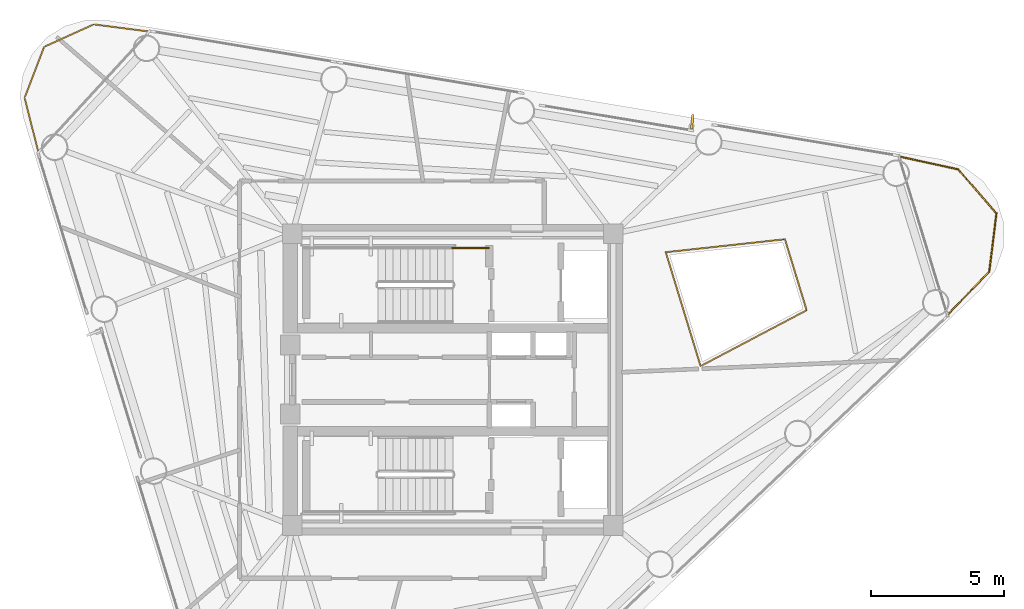
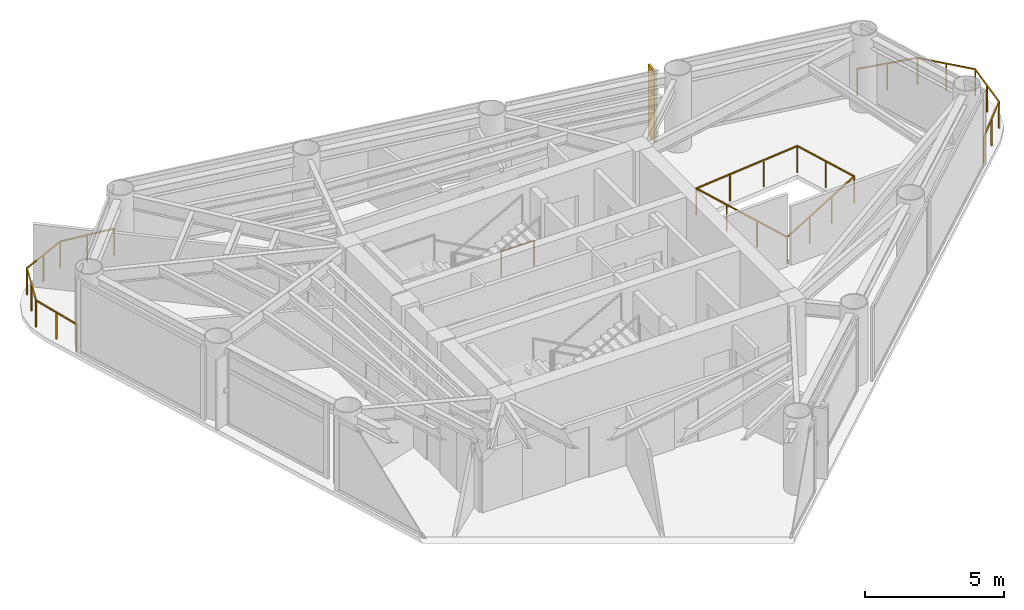
# One storey, part 8 of 8: 4 railings, 1 shading device.
"""IFC4 building model written with IfcOpenShell, lengths in metres."""

from ifc_helpers import new_model, si_unit, direction, frame, origin, origin_2d, place, context, subcontext, project, spatial, rectangle, extrude, source, transform, mapped, material, material_profile, profile_set, type_object, element, save


model = new_model("IFC4")

# Units and contexts
model_context = context("Model", 3, precision=1e-05, world=origin(), true_north=direction((0.0, 1.0)))
body_context = subcontext(model_context, "Body", "Model", "MODEL_VIEW")
ifc_project = project(units=[si_unit("LENGTHUNIT", "METRE"), si_unit("AREAUNIT", "SQUARE_METRE"), si_unit("VOLUMEUNIT", "CUBIC_METRE"), si_unit("PLANEANGLEUNIT", "RADIAN"), si_unit("MASSUNIT", "GRAM", prefix="KILO")], contexts=[model_context])

# Site, building, storey
site_placement = place(None, origin())
site = spatial("IfcSite", under=ifc_project, at=site_placement, CompositionType="ELEMENT")
building_placement = place(site_placement, origin())
building = spatial("IfcBuilding", under=site, at=building_placement, Name="Yunling Apex Tower", CompositionType="ELEMENT")
storey_placement = place(building_placement, frame((0.0, 0.0, 242.25)))
storey = spatial("IfcBuildingStorey", under=building, at=storey_placement, Name="L59", CompositionType="ELEMENT", Elevation=242.25)

# Railings
ifc_material_1 = material(Name="Bronze anodised aluminium", Category="aluminium")
railing_type_1 = type_object("IfcRailingType", Name="RL-BAL-1200", PredefinedType="BALUSTRADE", material=ifc_material_1)
railing_1_placement = place(storey_placement, frame((16.8173828125, 8.41064453125, 0.0)))
element("IfcRailing", 1, at=railing_1_placement, inside=storey, type_object=railing_type_1, Name="RL-CRNSILL-L59-1", PredefinedType="BALUSTRADE", context=body_context, shape_type="SweptSolid", body=[
    extrude(rectangle(XDim=0.0439453125, YDim=0.0439453125, at=origin_2d()), origin(), (0.0, 0.0, 1.0), 1.199951171875),
    extrude(rectangle(XDim=0.0439453125, YDim=0.0439453125, at=origin_2d()), frame((2.2275390625, -0.484130859375, 0.0)), (0.0, 0.0, 1.0), 1.199951171875),
    extrude(rectangle(XDim=0.050048828125, YDim=0.050048828125, at=origin_2d()), frame((0.037353515625, -0.008056640625, 1.1748046875), z_axis=(0.977186995442, -0.212380733446, 0.0), x_axis=(0.212380733446, 0.977186995442, 0.0)), (0.0, 0.0, 1.0), 2.202880859375),
    extrude(rectangle(XDim=0.0439453125, YDim=0.0439453125, at=origin_2d()), frame((1.11376953125, -0.2421875, 0.0)), (0.0, 0.0, 1.0), 1.14599609375),
    extrude(rectangle(XDim=0.0439453125, YDim=0.0439453125, at=origin_2d()), frame((3.673828125, -2.145751953125, 0.0)), (0.0, 0.0, 1.0), 1.199951171875),
    extrude(rectangle(XDim=0.050048828125, YDim=0.050048828125, at=origin_2d()), frame((2.252685546875, -0.512939453125, 1.1748046875), z_axis=(0.656540826245, -0.754290490112, 0.0), x_axis=(0.754290490112, 0.656540826245, 0.0)), (0.0, 0.0, 1.0), 2.126220703125),
    extrude(rectangle(XDim=0.0439453125, YDim=0.0439453125, at=origin_2d()), frame((2.95068359375, -1.31494140625, 0.0)), (0.0, 0.0, 1.0), 1.14599609375),
    extrude(rectangle(XDim=0.0439453125, YDim=0.0439453125, at=origin_2d()), frame((3.404052734375, -4.332275390625, 0.0)), (0.0, 0.0, 1.0), 1.199951171875),
    extrude(rectangle(XDim=0.050048828125, YDim=0.050048828125, at=origin_2d()), frame((3.669189453125, -2.183837890625, 1.1748046875), z_axis=(-0.122452455401, -0.992474380609, 0.0), x_axis=(0.992474380609, -0.122452455401, 0.0)), (0.0, 0.0, 1.0), 2.12646484375),
    extrude(rectangle(XDim=0.0439453125, YDim=0.0439453125, at=origin_2d()), frame((3.5390625, -3.239013671875, 0.0)), (0.0, 0.0, 1.0), 1.14599609375),
    extrude(rectangle(XDim=0.0439453125, YDim=0.0439453125, at=origin_2d()), frame((1.828125, -5.979248046875, 0.0)), (0.0, 0.0, 1.0), 1.199951171875),
    extrude(rectangle(XDim=0.050048828125, YDim=0.050048828125, at=origin_2d()), frame((3.37744140625, -4.35986328125, 1.1748046875), z_axis=(-0.691351518359, -0.722518565895, 0.0), x_axis=(0.722518565895, -0.691351518359, 0.0)), (0.0, 0.0, 1.0), 2.202880859375),
    extrude(rectangle(XDim=0.0439453125, YDim=0.0439453125, at=origin_2d()), frame((2.6162109375, -5.15576171875, 0.0)), (0.0, 0.0, 1.0), 1.14599609375),
])
railing_2_placement = place(storey_placement, frame((-15.61962890625, 8.571533203125, 0.0)))
element("IfcRailing", 2, at=railing_2_placement, inside=storey, type_object=railing_type_1, Name="RL-CRNSILL-L59-2", PredefinedType="BALUSTRADE", context=body_context, shape_type="SweptSolid", body=[
    extrude(rectangle(XDim=0.0439453125, YDim=0.0439453125, at=origin_2d()), origin(), (0.0, 0.0, 1.0), 1.199951171875),
    extrude(rectangle(XDim=0.0439453125, YDim=0.0439453125, at=origin_2d()), frame((-0.5185546875, 2.04931640625, 0.0)), (0.0, 0.0, 1.0), 1.199951171875),
    extrude(rectangle(XDim=0.050048828125, YDim=0.050048828125, at=origin_2d()), frame((-0.009521484375, 0.037109375, 1.1748046875), z_axis=(-0.245306459502, 0.969445584304, 0.0), x_axis=(-0.969445584304, -0.245306459502, 0.0)), (0.0, 0.0, 1.0), 2.037353515625),
    extrude(rectangle(XDim=0.0439453125, YDim=0.0439453125, at=origin_2d()), frame((-0.25927734375, 1.024658203125, 0.0)), (0.0, 0.0, 1.0), 1.14599609375),
    extrude(rectangle(XDim=0.0439453125, YDim=0.0439453125, at=origin_2d()), frame((0.216552734375, 3.970458984375, 0.0)), (0.0, 0.0, 1.0), 1.199951171875),
    extrude(rectangle(XDim=0.050048828125, YDim=0.050048828125, at=origin_2d()), frame((-0.5048828125, 2.085205078125, 1.1748046875), z_axis=(0.357371966157, 0.933962139385, 0.0), x_axis=(-0.933962139385, 0.357371966157, 0.0)), (0.0, 0.0, 1.0), 1.980224609375),
    extrude(rectangle(XDim=0.0439453125, YDim=0.0439453125, at=origin_2d()), frame((-0.15087890625, 3.009765625, 0.0)), (0.0, 0.0, 1.0), 1.14599609375),
    extrude(rectangle(XDim=0.0439453125, YDim=0.0439453125, at=origin_2d()), frame((2.083740234375, 4.817626953125, 0.0)), (0.0, 0.0, 1.0), 1.199951171875),
    extrude(rectangle(XDim=0.050048828125, YDim=0.050048828125, at=origin_2d()), frame((0.25146484375, 3.986328125, 1.1748046875), z_axis=(0.910651704015, 0.413174870938, 0.0), x_axis=(-0.413174870938, 0.910651704015, 0.0)), (0.0, 0.0, 1.0), 1.9736328125),
    extrude(rectangle(XDim=0.0439453125, YDim=0.0439453125, at=origin_2d()), frame((1.150146484375, 4.39404296875, 0.0)), (0.0, 0.0, 1.0), 1.14599609375),
    extrude(rectangle(XDim=0.0439453125, YDim=0.0439453125, at=origin_2d()), frame((4.180908203125, 4.54736328125, 0.0)), (0.0, 0.0, 1.0), 1.199951171875),
    extrude(rectangle(XDim=0.050048828125, YDim=0.050048828125, at=origin_2d()), frame((2.121826171875, 4.812744140625, 1.1748046875), z_axis=(0.99179818069, -0.127813805125, 0.0), x_axis=(0.127813805125, 0.99179818069, 0.0)), (0.0, 0.0, 1.0), 2.037841796875),
    extrude(rectangle(XDim=0.0439453125, YDim=0.0439453125, at=origin_2d()), frame((3.13232421875, 4.6826171875, 0.0)), (0.0, 0.0, 1.0), 1.14599609375),
])
railing_3_placement = place(storey_placement, frame((8.02685546875, 4.8017578125, 0.0)))
element("IfcRailing", 3, at=railing_3_placement, inside=storey, type_object=railing_type_1, Name="RL-TATR-L59", PredefinedType="BALUSTRADE", context=body_context, shape_type="SweptSolid", body=[
    extrude(rectangle(XDim=0.0439453125, YDim=0.0439453125, at=origin_2d()), origin(), (0.0, 0.0, 1.0), 1.199951171875),
    extrude(rectangle(XDim=0.0439453125, YDim=0.0439453125, at=origin_2d()), frame((4.4931640625, 0.4892578125, 0.0)), (0.0, 0.0, 1.0), 1.199951171875),
    extrude(rectangle(XDim=0.050048828125, YDim=0.050048828125, at=origin_2d()), frame((0.0380859375, 0.004150390625, 1.1748046875), z_axis=(0.994123756521, 0.108249511414, 0.0), x_axis=(-0.108249511414, 0.994123756521, 0.0)), (0.0, 0.0, 1.0), 4.443115234375),
    extrude(rectangle(XDim=0.0439453125, YDim=0.0439453125, at=origin_2d()), frame((1.497802734375, 0.1630859375, 0.0)), (0.0, 0.0, 1.0), 1.14599609375),
    extrude(rectangle(XDim=0.0439453125, YDim=0.0439453125, at=origin_2d()), frame((2.995361328125, 0.326171875, 0.0)), (0.0, 0.0, 1.0), 1.14599609375),
    extrude(rectangle(XDim=0.0439453125, YDim=0.0439453125, at=origin_2d()), frame((5.3115234375, -2.18701171875, 0.0)), (0.0, 0.0, 1.0), 1.199951171875),
    extrude(rectangle(XDim=0.050048828125, YDim=0.050048828125, at=origin_2d()), frame((4.50439453125, 0.45263671875, 1.1748046875), z_axis=(0.292417998169, -0.956290601411, 0.0), x_axis=(0.956290601411, 0.292417998169, 0.0)), (0.0, 0.0, 1.0), 2.721923828125),
    extrude(rectangle(XDim=0.0439453125, YDim=0.0439453125, at=origin_2d()), frame((4.90234375, -0.848876953125, 0.0)), (0.0, 0.0, 1.0), 1.14599609375),
    extrude(rectangle(XDim=0.0439453125, YDim=0.0439453125, at=origin_2d()), frame((1.312744140625, -4.2939453125, 0.0)), (0.0, 0.0, 1.0), 1.199951171875),
    extrude(rectangle(XDim=0.050048828125, YDim=0.050048828125, at=origin_2d()), frame((5.277587890625, -2.204833984375, 1.1748046875), z_axis=(-0.884707228161, -0.466147101717, 0.0), x_axis=(0.466147101717, -0.884707228161, 0.0)), (0.0, 0.0, 1.0), 4.443115234375),
    extrude(rectangle(XDim=0.0439453125, YDim=0.0439453125, at=origin_2d()), frame((3.978515625, -2.889404296875, 0.0)), (0.0, 0.0, 1.0), 1.14599609375),
    extrude(rectangle(XDim=0.0439453125, YDim=0.0439453125, at=origin_2d()), frame((2.645751953125, -3.591552734375, 0.0)), (0.0, 0.0, 1.0), 1.14599609375),
    extrude(rectangle(XDim=0.050048828125, YDim=0.050048828125, at=origin_2d()), frame((1.301513671875, -4.25732421875, 1.1748046875), z_axis=(-0.292362196042, 0.956307663007, 0.0), x_axis=(-0.956307663007, -0.292362196042, 0.0)), (0.0, 0.0, 1.0), 4.41357421875),
    extrude(rectangle(XDim=0.0439453125, YDim=0.0439453125, at=origin_2d()), frame((0.875244140625, -2.862548828125, 0.0)), (0.0, 0.0, 1.0), 1.14599609375),
    extrude(rectangle(XDim=0.0439453125, YDim=0.0439453125, at=origin_2d()), frame((0.4375, -1.431396484375, 0.0)), (0.0, 0.0, 1.0), 1.14599609375),
])
ifc_material_2 = material(Name="Steel Q355B", Category="steel")
railing_type_2 = type_object("IfcRailingType", Name="RL-GRD-1150", PredefinedType="GUARDRAIL", material=ifc_material_2)
railing_4_placement = place(storey_placement, frame((1.35009765625, 4.9599609375, 0.0)))
element("IfcRailing", 4, at=railing_4_placement, inside=storey, type_object=railing_type_2, Name="L59 ST-1 stair guard 6", PredefinedType="GUARDRAIL", context=body_context, shape_type="SweptSolid", body=[
    extrude(rectangle(XDim=0.0439453125, YDim=0.0439453125, at=origin_2d()), origin(), (0.0, 0.0, 1.0), 1.14990234375),
    extrude(rectangle(XDim=0.0439453125, YDim=0.0439453125, at=origin_2d()), frame((-1.360107421875, 0.0, 0.0)), (0.0, 0.0, 1.0), 1.14990234375),
    extrude(rectangle(XDim=0.050048828125, YDim=0.050048828125, at=origin_2d()), frame((-0.038330078125, 0.0, 1.125), z_axis=(-1.0, 0.0, 0.0), x_axis=(0.0, -1.0, 0.0)), (0.0, 0.0, 1.0), 1.283447265625),
])

# Shading device
ifc_material_profile = material_profile(ifc_material_1, rectangle(XDim=0.0849609375, YDim=0.550048828125, at=origin_2d()))
ifc_profile_set = profile_set([ifc_material_profile], Name="Bronze anodised aluminium")
shading_device_type = type_object("IfcShadingDeviceType", Name="FN-BRZ-3", PredefinedType="USERDEFINED", material=ifc_profile_set)
shared_shape = source(origin(), body_context, "Body", "SweptSolid", [
    extrude(rectangle(XDim=0.0849609375, YDim=0.550048828125, at=origin_2d()), origin(), (0.0, 0.0, 1.0), 3.10009765625),
])
shading_device_placement = place(storey_placement, frame((9.0244140625, 9.71435546875, 0.06005859375), z_axis=(0.0, 0.0, 1.0), x_axis=(-0.995038220239, 0.099493418189, 0.0)))
element("IfcShadingDevice", 5, at=shading_device_placement, inside=storey, type_object=shading_device_type, Name="CW-L59-F2-B2-FIN-01", ObjectType="FIN", PredefinedType="USERDEFINED", context=body_context, shape_type="MappedRepresentation", body=[
    mapped(shared_shape, transform((0.0, 0.0, 0.0), scale=1.0)),
])

save(model, "model.ifc")
